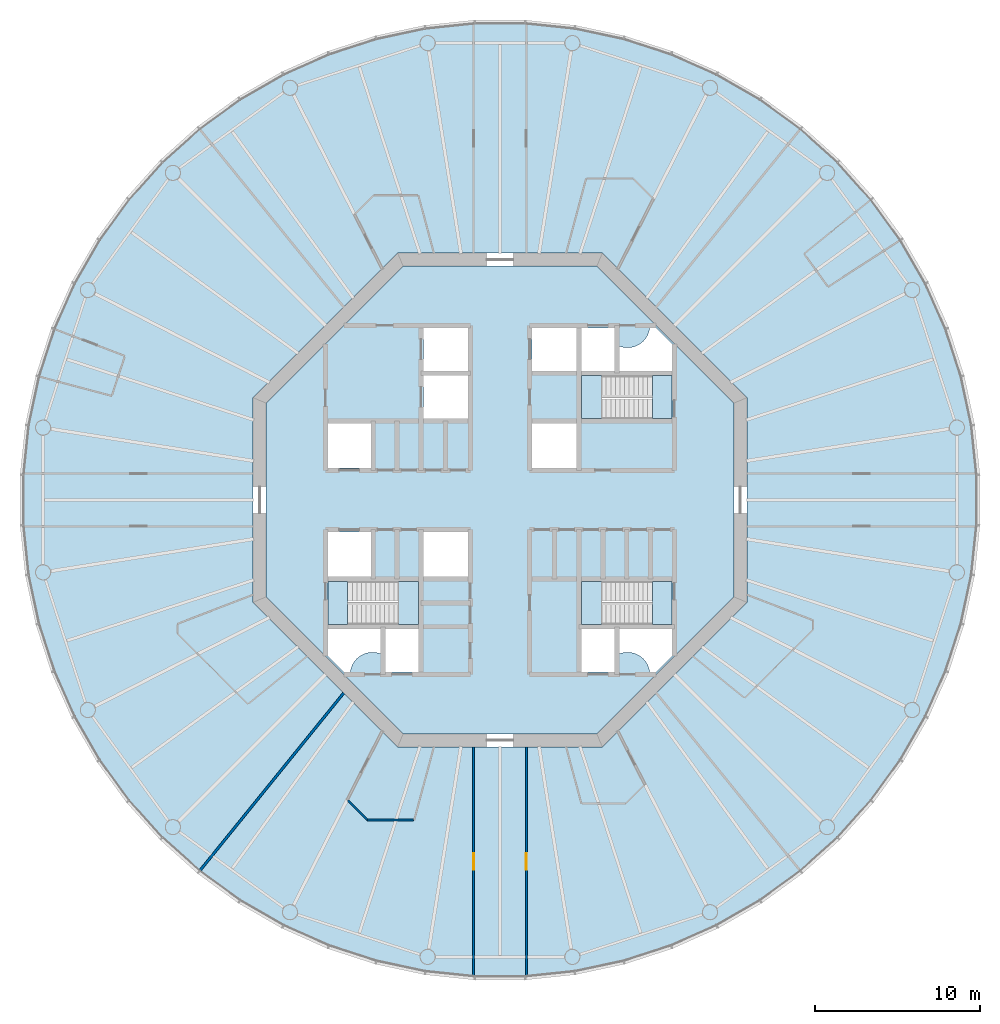
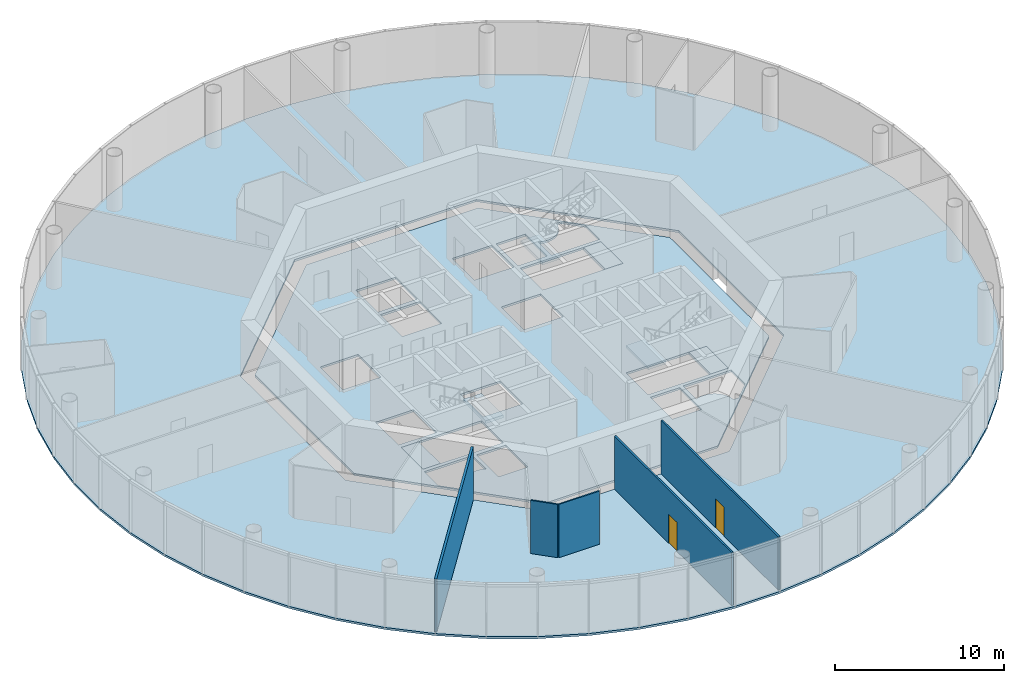
# One storey, part 2 of 13: 8 slabs, 5 walls, 2 doors, 2 openings, 3 elements without a shape of their own.
"""IFC4 building model written with IfcOpenShell, lengths in metres."""

import ifcopenshell
import ifcopenshell.guid

model = None  # the IFC model being written
_history = None  # IfcOwnerHistory: only IFC2X3 demands one
_inside = {}  # id of a spatial element -> (the spatial element, [elements in it])
_under = {}  # id of a project, library or spatial element -> (it, [spatial elements below it])
_declared = {}  # id of a project -> (the project, [libraries it declares])
_typed = {}  # id of a type object -> (the type object, [elements of that type])
_made_of = {}  # id of a material, layer set ... -> (it, [elements and type objects made of it])


def new_model(schema):
    """Start an empty IFC model of exactly this schema.

    Asked for "IFC4X3", IfcOpenShell would pick the latest addendum, in which some entities
    have other attributes; the version numbers below select the first issue.
    IFC2X3 requires an IfcOwnerHistory on every rooted entity: one is made here for all.
    """
    global model, _history
    if schema == "IFC4X3":
        model = ifcopenshell.file(schema_version=(4, 3, 0, 0))
    else:
        model = ifcopenshell.file(schema=schema)
    _inside.clear()
    _under.clear()
    _declared.clear()
    _typed.clear()
    _made_of.clear()
    _history = None
    if model.schema == "IFC2X3":
        org = make("IfcOrganization", Name="unknown")
        user = make(
            "IfcPersonAndOrganization",
            ThePerson=make("IfcPerson", FamilyName="unknown"),
            TheOrganization=org,
        )
        app = make(
            "IfcApplication",
            ApplicationDeveloper=org,
            Version="unknown",
            ApplicationFullName="unknown",
            ApplicationIdentifier="unknown",
        )
        _history = make(
            "IfcOwnerHistory",
            OwningUser=user,
            OwningApplication=app,
            ChangeAction="ADDED",
            CreationDate=0,
        )
    return model


def make(cls, **values):
    """One entity of the class cls with the attributes given. An attribute that is None is left unset."""
    return model.create_entity(
        cls, **{name: value for name, value in values.items() if value is not None}
    )


def rooted(cls, **values):
    """An entity with a GlobalId (a new one), such as an element, a storey or a relation."""
    return make(cls, GlobalId=ifcopenshell.guid.new(), OwnerHistory=_history, **values)


def si_unit(unit_type, name, prefix=None):
    """IfcSIUnit, for example si_unit("LENGTHUNIT", "METRE", prefix="MILLI")."""
    return make("IfcSIUnit", UnitType=unit_type, Prefix=prefix, Name=name)


def assignment(units):
    """IfcUnitAssignment: the units of a project."""
    return None if units is None else make("IfcUnitAssignment", Units=units)


def point(xyz):
    """IfcCartesianPoint."""
    return None if xyz is None else make("IfcCartesianPoint", Coordinates=xyz)


def direction(xyz):
    """IfcDirection."""
    return None if xyz is None else make("IfcDirection", DirectionRatios=xyz)


def frame(location, z_axis=None, x_axis=None):
    """IfcAxis2Placement3D, a coordinate frame: its origin and axes. An axis left out is left unset."""
    return make(
        "IfcAxis2Placement3D",
        Location=point(location),
        Axis=direction(z_axis),
        RefDirection=direction(x_axis),
    )


def frame_2d(location, x_axis=None):
    """IfcAxis2Placement2D, a coordinate frame in the plane: its origin and x axis."""
    return make(
        "IfcAxis2Placement2D", Location=point(location), RefDirection=direction(x_axis)
    )


def origin():
    """The frame at (0, 0, 0) with its axes left unset."""
    return frame((0.0, 0.0, 0.0))


def place(relative_to, where):
    """IfcLocalPlacement: puts the frame where relative to a parent placement (None: the world)."""
    return make(
        "IfcLocalPlacement", PlacementRelTo=relative_to, RelativePlacement=where
    )


def context(
    kind, dimensions, precision=None, world=None, true_north=None, identifier=None
):
    """IfcGeometricRepresentationContext, for example the 3D "Model" context."""
    return make(
        "IfcGeometricRepresentationContext",
        ContextIdentifier=identifier,
        ContextType=kind,
        CoordinateSpaceDimension=dimensions,
        Precision=precision,
        WorldCoordinateSystem=world,
        TrueNorth=true_north,
    )


def subcontext(parent, identifier, kind, view, scale=None):
    """IfcGeometricRepresentationSubContext, for example "Body" below "Model"."""
    return make(
        "IfcGeometricRepresentationSubContext",
        ContextIdentifier=identifier,
        ContextType=kind,
        ParentContext=parent,
        TargetScale=scale,
        TargetView=view,
    )


def project(units=None, contexts=None):
    """IfcProject with its units and contexts."""
    return rooted(
        "IfcProject",
        Name="project",
        RepresentationContexts=contexts,
        UnitsInContext=assignment(units),
    )


def spatial(cls, under=None, at=None, **own):
    """A site, building, storey or space (cls), placed at a placement, below another one or the project."""
    s = rooted(cls, ObjectPlacement=at, **own)
    if under is not None:
        _under.setdefault(under.id(), (under, []))[1].append(s)
    return s


def polyline(points):
    """IfcPolyline through the points."""
    return make("IfcPolyline", Points=[point(p) for p in points])


def profile(cls, at=None, kind="AREA", **sizes):
    """A parametric profile (cls). Its sizes go by their IFC names, for example OverallWidth=200.0."""
    return make(cls, ProfileType=kind, Position=at, **sizes)


def rectangle(**sizes):
    """IfcRectangleProfileDef."""
    return profile("IfcRectangleProfileDef", **sizes)


def outline(outer, holes=None, kind="AREA"):
    """IfcArbitraryClosedProfileDef: a profile drawn as a closed curve; with holes, ...WithVoids."""
    if holes is None:
        return make("IfcArbitraryClosedProfileDef", ProfileType=kind, OuterCurve=outer)
    return make(
        "IfcArbitraryProfileDefWithVoids",
        ProfileType=kind,
        OuterCurve=outer,
        InnerCurves=holes,
    )


def extrude(swept, where, along, depth):
    """IfcExtrudedAreaSolid: the profile swept, set in the frame where, extruded along a direction by depth."""
    return make(
        "IfcExtrudedAreaSolid",
        SweptArea=swept,
        Position=where,
        ExtrudedDirection=direction(along),
        Depth=depth,
    )


def shape(context_of_items, identifier, shape_type, items):
    """IfcShapeRepresentation: the items that make up one representation, for example the "Body"."""
    return make(
        "IfcShapeRepresentation",
        ContextOfItems=context_of_items,
        RepresentationIdentifier=identifier,
        RepresentationType=shape_type,
        Items=items,
    )


def material(Name=None, Category=None):
    """IfcMaterial."""
    return make("IfcMaterial", Name=Name, Category=Category)


def layer(
    of_material, thickness, ventilated=None, Name=None, Category=None, Priority=None
):
    """IfcMaterialLayer: one layer of a wall or slab, of a material (None: an air gap)."""
    return make(
        "IfcMaterialLayer",
        Material=of_material,
        LayerThickness=thickness,
        IsVentilated=ventilated,
        Name=Name,
        Category=Category,
        Priority=Priority,
    )


def layer_set(layers, Name=None):
    """IfcMaterialLayerSet."""
    return make("IfcMaterialLayerSet", MaterialLayers=layers, LayerSetName=Name)


def made_of(thing, what):
    """Note that an element or type object is made of a material, layer set ...; save() writes the relation."""
    if what is not None:
        _made_of.setdefault(what.id(), (what, []))[1].append(thing)
    return thing


def type_object(cls, material=None, **own):
    """A type object (cls), such as IfcWallType, which elements share."""
    return made_of(rooted(cls, **own), material)


def element(
    cls,
    number,
    at=None,
    inside=None,
    cuts=None,
    type_object=None,
    material=None,
    context=None,
    identifier="Body",
    shape_type=None,
    held_by="IfcProductDefinitionShape",
    body=None,
    shapes=None,
    **own,
):
    """One element of the class cls, such as IfcWall. Its Tag is "e" and its number.

    at: its placement. inside: the storey or other place that contains it. cuts: it is an
    opening in that element (IfcRelVoidsElement). A single representation is given by context,
    identifier, shape_type and body (its items); several are given by shapes. held_by: the class
    of the entity that holds the representations. save() writes the other relations.
    """
    e = rooted(cls, Tag="e%d" % number, ObjectPlacement=at, **own)
    if body is not None:
        shapes = [shape(context, identifier, shape_type, body)]
    if shapes is not None:
        e.Representation = make(held_by, Representations=shapes)
    if inside is not None:
        _inside.setdefault(inside.id(), (inside, []))[1].append(e)
    if cuts is not None:
        rooted(
            "IfcRelVoidsElement", RelatingBuildingElement=cuts, RelatedOpeningElement=e
        )
    if type_object is not None:
        _typed.setdefault(type_object.id(), (type_object, []))[1].append(e)
    return made_of(e, material)


def fill(opening, filler):
    """IfcRelFillsElement: the door or window that sits in an opening."""
    return rooted(
        "IfcRelFillsElement",
        RelatingOpeningElement=opening,
        RelatedBuildingElement=filler,
    )


def aggregate(whole, parts):
    """IfcRelAggregates: a whole, such as a stair, and the parts it consists of."""
    return rooted("IfcRelAggregates", RelatingObject=whole, RelatedObjects=parts)


def save(model, path):
    """Write the relations noted so far, then the file.

    IfcRelAggregates (storeys below a building ...), IfcRelContainedInSpatialStructure (elements
    in a storey), IfcRelDefinesByType, IfcRelAssociatesMaterial and IfcRelDeclares: one each for
    every whole, place, type object, material and project.
    """
    for whole, parts in _under.values():
        aggregate(whole, parts)
    for where, things in _inside.values():
        rooted(
            "IfcRelContainedInSpatialStructure",
            RelatedElements=things,
            RelatingStructure=where,
        )
    for kind, things in _typed.values():
        rooted("IfcRelDefinesByType", RelatedObjects=things, RelatingType=kind)
    for what, things in _made_of.values():
        rooted("IfcRelAssociatesMaterial", RelatedObjects=things, RelatingMaterial=what)
    for by, libraries in _declared.values():
        rooted("IfcRelDeclares", RelatingContext=by, RelatedDefinitions=libraries)
    model.write(path)


model = new_model("IFC4")

# Units and contexts
model_context = context("Model", 3, precision=1e-05, world=origin(), true_north=direction((0.0, 1.0)))
body_context = subcontext(model_context, "Body", "Model", "MODEL_VIEW")
ifc_project = project(units=[si_unit("LENGTHUNIT", "METRE"), si_unit("AREAUNIT", "SQUARE_METRE"), si_unit("VOLUMEUNIT", "CUBIC_METRE"), si_unit("PLANEANGLEUNIT", "RADIAN"), si_unit("MASSUNIT", "GRAM", prefix="KILO")], contexts=[model_context])

# Site, building, storey
site_placement = place(None, origin())
site = spatial("IfcSite", under=ifc_project, at=site_placement, CompositionType="ELEMENT")
building_placement = place(site_placement, origin())
building = spatial("IfcBuilding", under=site, at=building_placement, Name="Entoto Ring Tower", CompositionType="ELEMENT")
storey_placement = place(building_placement, frame((0.0, 0.0, 286.0)))
storey = spatial("IfcBuildingStorey", under=building, at=storey_placement, Name="L65", CompositionType="ELEMENT", Elevation=286.0)

# Slabs
ifc_material_1 = material(Name="Concrete C30/37", Category="concrete")
ifc_layer_1 = layer(ifc_material_1, 0.14990234375)
ifc_layer_set_1 = layer_set([ifc_layer_1], Name="Concrete C30/37")
slab_type_1 = type_object("IfcSlabType", Name="Composite floor slab 150 mm", PredefinedType="FLOOR", material=ifc_layer_set_1)
slab_1_placement = place(storey_placement, frame((0.0, 0.0, -0.14990234375)))
element("IfcSlab", 1, at=slab_1_placement, inside=storey, type_object=slab_type_1, Name="Floor slab L65", PredefinedType="FLOOR", context=body_context, shape_type="SweptSolid", body=[
    extrude(outline(polyline([(118.74169921875, 84.55224609375), (118.1083984375, 87.53173828125), (117.167236328125, 90.428466796875), (115.92822265625, 93.211181640625), (114.4052734375, 95.848876953125), (112.614990234375, 98.313232421875), (110.576904296875, 100.576904296875), (108.313232421875, 102.614990234375), (105.848876953125, 104.4052734375), (103.211181640625, 105.92822265625), (100.428466796875, 107.167236328125), (97.53173828125, 108.1083984375), (94.55224609375, 108.74169921875), (91.52294921875, 109.06005859375), (88.47705078125, 109.06005859375), (85.44775390625, 108.74169921875), (82.46826171875, 108.1083984375), (79.571533203125, 107.167236328125), (76.788818359375, 105.92822265625), (74.151123046875, 104.4052734375), (71.686767578125, 102.614990234375), (69.423095703125, 100.576904296875), (67.385009765625, 98.313232421875), (65.5947265625, 95.848876953125), (64.07177734375, 93.211181640625), (62.832763671875, 90.428466796875), (61.8916015625, 87.53173828125), (61.25830078125, 84.55224609375), (60.93994140625, 81.52294921875), (60.93994140625, 78.47705078125), (61.25830078125, 75.44775390625), (61.8916015625, 72.46826171875), (62.832763671875, 69.571533203125), (64.07177734375, 66.788818359375), (65.5947265625, 64.151123046875), (67.385009765625, 61.686767578125), (69.423095703125, 59.423095703125), (71.686767578125, 57.385009765625), (74.151123046875, 55.5947265625), (76.788818359375, 54.07177734375), (79.571533203125, 52.832763671875), (82.46826171875, 51.8916015625), (85.44775390625, 51.25830078125), (88.47705078125, 50.93994140625), (91.52294921875, 50.93994140625), (94.55224609375, 51.25830078125), (97.53173828125, 51.8916015625), (100.428466796875, 52.832763671875), (103.211181640625, 54.07177734375), (105.848876953125, 55.5947265625), (108.313232421875, 57.385009765625), (110.576904296875, 59.423095703125), (112.614990234375, 61.686767578125), (114.4052734375, 64.151123046875), (115.92822265625, 66.788818359375), (117.167236328125, 69.571533203125), (118.1083984375, 72.46826171875), (118.74169921875, 75.44775390625), (119.06005859375, 78.47705078125), (119.06005859375, 81.52294921875), (118.74169921875, 84.55224609375)]), holes=[polyline([(105.0, 73.786865234375), (105.0, 86.213134765625), (96.213134765625, 95.0), (83.786865234375, 95.0), (75.0, 86.213134765625), (75.0, 73.786865234375), (83.786865234375, 65.0), (96.213134765625, 65.0), (105.0, 73.786865234375)])]), origin(), (0.0, 0.0, 1.0), 0.14990234375),
])
ifc_material_2 = material(Name="Concrete C40/50", Category="concrete")
ifc_layer_2 = layer(ifc_material_2, 0.14990234375)
ifc_layer_set_2 = layer_set([ifc_layer_2], Name="Concrete C40/50")
slab_type_2 = type_object("IfcSlabType", Name="Core floor slab 150 mm reinforced concrete C40/50", PredefinedType="FLOOR", material=ifc_layer_set_2)
slab_2_placement = place(storey_placement, frame((0.0, 0.0, -0.14990234375)))
element("IfcSlab", 2, at=slab_2_placement, inside=storey, type_object=slab_type_2, Name="Core floor L65", PredefinedType="FLOOR", context=body_context, shape_type="SweptSolid", body=[
    extrude(outline(polyline([(104.199951171875, 74.1181640625), (104.199951171875, 85.8818359375), (95.8818359375, 94.199951171875), (84.1181640625, 94.199951171875), (75.800048828125, 85.8818359375), (75.800048828125, 74.1181640625), (84.1181640625, 65.800048828125), (95.8818359375, 65.800048828125), (104.199951171875, 74.1181640625)]), holes=[polyline([(100.449951171875, 84.949951171875), (100.449951171875, 87.550048828125), (94.949951171875, 87.550048828125), (94.949951171875, 84.949951171875), (100.449951171875, 84.949951171875)]), polyline([(85.050048828125, 72.449951171875), (85.050048828125, 75.050048828125), (79.550048828125, 75.050048828125), (79.550048828125, 72.449951171875), (85.050048828125, 72.449951171875)]), polyline([(100.449951171875, 72.449951171875), (100.449951171875, 75.050048828125), (94.949951171875, 75.050048828125), (94.949951171875, 72.449951171875), (100.449951171875, 72.449951171875)]), polyline([(94.949951171875, 90.449951171875), (94.949951171875, 87.85009765625), (96.949951171875, 87.85009765625), (96.949951171875, 90.449951171875), (94.949951171875, 90.449951171875)]), polyline([(94.949951171875, 72.14990234375), (94.949951171875, 69.550048828125), (96.949951171875, 69.550048828125), (96.949951171875, 72.14990234375), (94.949951171875, 72.14990234375)]), polyline([(83.050048828125, 72.14990234375), (83.050048828125, 69.550048828125), (85.050048828125, 69.550048828125), (85.050048828125, 72.14990234375), (83.050048828125, 72.14990234375)]), polyline([(79.550048828125, 81.949951171875), (82.14990234375, 81.949951171875), (82.14990234375, 84.64990234375), (79.550048828125, 84.64990234375), (79.550048828125, 81.949951171875)]), polyline([(79.550048828125, 75.35009765625), (82.14990234375, 75.35009765625), (82.14990234375, 78.050048828125), (79.550048828125, 78.050048828125), (79.550048828125, 75.35009765625)]), polyline([(91.949951171875, 87.85009765625), (94.64990234375, 87.85009765625), (94.64990234375, 90.449951171875), (91.949951171875, 90.449951171875), (91.949951171875, 87.85009765625)]), polyline([(91.949951171875, 81.949951171875), (94.64990234375, 81.949951171875), (94.64990234375, 84.64990234375), (91.949951171875, 84.64990234375), (91.949951171875, 81.949951171875)]), polyline([(85.35009765625, 75.35009765625), (88.050048828125, 75.35009765625), (88.050048828125, 78.050048828125), (85.35009765625, 78.050048828125), (85.35009765625, 75.35009765625)]), polyline([(85.35009765625, 84.949951171875), (88.050048828125, 84.949951171875), (88.050048828125, 87.550048828125), (85.35009765625, 87.550048828125), (85.35009765625, 84.949951171875)]), polyline([(85.35009765625, 87.85009765625), (88.050048828125, 87.85009765625), (88.050048828125, 90.449951171875), (85.35009765625, 90.449951171875), (85.35009765625, 87.85009765625)]), polyline([(97.199951171875, 89.368408203125), (97.199951171875, 87.800048828125), (100.5, 87.800048828125), (100.5, 89.4404296875), (99.4404296875, 90.5), (99.09521484375, 90.5), (99.093505859375, 90.4677734375), (99.07421875, 90.336669921875), (99.0419921875, 90.2080078125), (98.997314453125, 90.08349609375), (98.940673828125, 89.963623046875), (98.87255859375, 89.85009765625), (98.793701171875, 89.74365234375), (98.70458984375, 89.6455078125), (98.6064453125, 89.556396484375), (98.5, 89.4775390625), (98.386474609375, 89.409423828125), (98.2666015625, 89.352783203125), (98.141845703125, 89.30810546875), (98.013427734375, 89.27587890625), (97.88232421875, 89.256591796875), (97.75, 89.25), (97.61767578125, 89.256591796875), (97.486572265625, 89.27587890625), (97.358154296875, 89.30810546875), (97.2333984375, 89.352783203125), (97.199951171875, 89.368408203125)]), polyline([(80.5595703125, 69.5), (80.90478515625, 69.5), (80.906494140625, 69.5322265625), (80.92578125, 69.663330078125), (80.9580078125, 69.7919921875), (81.002685546875, 69.91650390625), (81.059326171875, 70.036376953125), (81.12744140625, 70.14990234375), (81.206298828125, 70.25634765625), (81.29541015625, 70.3544921875), (81.3935546875, 70.443603515625), (81.5, 70.5224609375), (81.613525390625, 70.590576171875), (81.7333984375, 70.647216796875), (81.858154296875, 70.69189453125), (81.986572265625, 70.72412109375), (82.11767578125, 70.743408203125), (82.25, 70.75), (82.38232421875, 70.743408203125), (82.513427734375, 70.72412109375), (82.641845703125, 70.69189453125), (82.7666015625, 70.647216796875), (82.800048828125, 70.631591796875), (82.800048828125, 72.199951171875), (79.5, 72.199951171875), (79.5, 70.5595703125), (80.5595703125, 69.5)]), polyline([(99.09521484375, 69.5), (99.4404296875, 69.5), (100.5, 70.5595703125), (100.5, 72.199951171875), (97.199951171875, 72.199951171875), (97.199951171875, 70.631591796875), (97.2333984375, 70.647216796875), (97.358154296875, 70.69189453125), (97.486572265625, 70.72412109375), (97.61767578125, 70.743408203125), (97.75, 70.75), (97.88232421875, 70.743408203125), (98.013427734375, 70.72412109375), (98.141845703125, 70.69189453125), (98.2666015625, 70.647216796875), (98.386474609375, 70.590576171875), (98.5, 70.5224609375), (98.6064453125, 70.443603515625), (98.70458984375, 70.3544921875), (98.793701171875, 70.25634765625), (98.87255859375, 70.14990234375), (98.940673828125, 70.036376953125), (98.997314453125, 69.91650390625), (99.0419921875, 69.7919921875), (99.07421875, 69.663330078125), (99.093505859375, 69.5322265625), (99.09521484375, 69.5)])]), origin(), (0.0, 0.0, 1.0), 0.14990234375),
])

# Stair, slabs
ifc_material_3 = material(Name="Concrete C40/50", Category="concrete")
stair_type = type_object("IfcStairType", Name="Exit stair 1200 mm dog-leg reinforced concrete", PredefinedType="HALF_TURN_STAIR", material=ifc_material_3)
stair_1_placement = place(storey_placement, origin())
stair_1 = element("IfcStair", 3, at=stair_1_placement, inside=storey, type_object=stair_type, Name="Exit stair 1", PredefinedType="HALF_TURN_STAIR")
ifc_material_4 = material(Name="Concrete C40/50", Category="concrete")
ifc_layer_3 = layer(ifc_material_4, 0.199951171875)
ifc_layer_set_3 = layer_set([ifc_layer_3], Name="Concrete C40/50")
slab_type_3 = type_object("IfcSlabType", Name="Stair landing 200 mm reinforced concrete", PredefinedType="LANDING", material=ifc_layer_set_3)
slab_3_placement = place(storey_placement, frame((0.0, 0.0, -0.199951171875)))
slab_3 = element("IfcSlab", 4, at=slab_3_placement, type_object=slab_type_3, Name="ST1 landing 1", PredefinedType="LANDING", context=body_context, shape_type="SweptSolid", body=[
    extrude(outline(polyline([(100.449951171875, 84.949951171875), (100.449951171875, 87.550048828125), (99.25, 87.550048828125), (99.25, 84.949951171875), (100.449951171875, 84.949951171875)])), origin(), (0.0, 0.0, 1.0), 0.199951171875),
])
slab_4_placement = place(storey_placement, frame((0.0, 0.0, 1.800048828125)))
slab_4 = element("IfcSlab", 5, at=slab_4_placement, type_object=slab_type_3, Name="ST1 landing 2", PredefinedType="LANDING", context=body_context, shape_type="SweptSolid", body=[
    extrude(outline(polyline([(94.949951171875, 84.949951171875), (96.169921875, 84.949951171875), (96.169921875, 87.550048828125), (94.949951171875, 87.550048828125), (94.949951171875, 84.949951171875)])), origin(), (0.0, 0.0, 1.0), 0.199951171875),
])
aggregate(stair_1, [slab_3, slab_4])

stair_2_placement = place(storey_placement, origin())
stair_2 = element("IfcStair", 6, at=stair_2_placement, inside=storey, type_object=stair_type, Name="Exit stair 2", PredefinedType="HALF_TURN_STAIR")
slab_5_placement = place(storey_placement, frame((0.0, 0.0, -0.199951171875)))
slab_5 = element("IfcSlab", 7, at=slab_5_placement, type_object=slab_type_3, Name="ST2 landing 1", PredefinedType="LANDING", context=body_context, shape_type="SweptSolid", body=[
    extrude(outline(polyline([(80.75, 72.449951171875), (80.75, 75.050048828125), (79.550048828125, 75.050048828125), (79.550048828125, 72.449951171875), (80.75, 72.449951171875)])), origin(), (0.0, 0.0, 1.0), 0.199951171875),
])
slab_6_placement = place(storey_placement, frame((0.0, 0.0, 1.800048828125)))
slab_6 = element("IfcSlab", 8, at=slab_6_placement, type_object=slab_type_3, Name="ST2 landing 2", PredefinedType="LANDING", context=body_context, shape_type="SweptSolid", body=[
    extrude(outline(polyline([(83.830078125, 72.449951171875), (85.050048828125, 72.449951171875), (85.050048828125, 75.050048828125), (83.830078125, 75.050048828125), (83.830078125, 72.449951171875)])), origin(), (0.0, 0.0, 1.0), 0.199951171875),
])
aggregate(stair_2, [slab_5, slab_6])

stair_3_placement = place(storey_placement, origin())
stair_3 = element("IfcStair", 9, at=stair_3_placement, inside=storey, type_object=stair_type, Name="Exit stair 3", PredefinedType="HALF_TURN_STAIR")
slab_7_placement = place(storey_placement, frame((0.0, 0.0, -0.199951171875)))
slab_7 = element("IfcSlab", 10, at=slab_7_placement, type_object=slab_type_3, Name="ST3 landing 1", PredefinedType="LANDING", context=body_context, shape_type="SweptSolid", body=[
    extrude(outline(polyline([(100.449951171875, 72.449951171875), (100.449951171875, 75.050048828125), (99.25, 75.050048828125), (99.25, 72.449951171875), (100.449951171875, 72.449951171875)])), origin(), (0.0, 0.0, 1.0), 0.199951171875),
])
slab_8_placement = place(storey_placement, frame((0.0, 0.0, 1.800048828125)))
slab_8 = element("IfcSlab", 11, at=slab_8_placement, type_object=slab_type_3, Name="ST3 landing 2", PredefinedType="LANDING", context=body_context, shape_type="SweptSolid", body=[
    extrude(outline(polyline([(94.949951171875, 72.449951171875), (96.169921875, 72.449951171875), (96.169921875, 75.050048828125), (94.949951171875, 75.050048828125), (94.949951171875, 72.449951171875)])), origin(), (0.0, 0.0, 1.0), 0.199951171875),
])
aggregate(stair_3, [slab_7, slab_8])

# Wall, opening, door
ifc_material_5 = material(Name="Fire-resisting plasterboard on steel studs", Category="steel")
ifc_layer_4 = layer(ifc_material_5, 0.125)
ifc_layer_set_4 = layer_set([ifc_layer_4], Name="Fire-resisting plasterboard on steel studs")
wall_type_1 = type_object("IfcWallType", Name="Corridor wall 125 mm one-hour plasterboard on steel studs", PredefinedType="PARTITIONING", material=ifc_layer_set_4)
wall_1_placement = place(storey_placement, frame((88.39990234375, 51.108642578125, 0.0), z_axis=(0.0, 0.0, 1.0), x_axis=(0.0, 1.0, 0.0)))
wall_1 = element("IfcWall", 12, at=wall_1_placement, inside=storey, type_object=wall_type_1, Name="partition-L65-003", PredefinedType="PARTITIONING", context=body_context, shape_type="SweptSolid", body=[
    extrude(rectangle(XDim=13.891357421875, YDim=0.125, at=frame_2d((6.94580078125, 0.0))), origin(), (0.0, 0.0, 1.0), 3.85009765625),
])
opening_1_placement = place(wall_1_placement, frame((6.44580078125, 0.0, 0.0)))
opening_1 = element("IfcOpeningElement", 13, at=opening_1_placement, cuts=wall_1, Name="Opening A29-D11", PredefinedType="OPENING", context=body_context, shape_type="SweptSolid", body=[
    extrude(rectangle(XDim=1.0, YDim=2.10009765625, at=frame_2d((0.5, 1.050048828125))), frame((0.0, 0.072509765625, 0.0), z_axis=(0.0, -1.0, 0.0), x_axis=(1.0, 0.0, 0.0)), (0.0, 0.0, 1.0), 0.14501953125),
])
ifc_material_6 = material(Name="Fire-resisting timber door set", Category="wood")
door_type = type_object("IfcDoorType", Name="Door 1000 x 2100 single leaf FD30S fire door", OperationType="NOTDEFINED", PredefinedType="DOOR", material=ifc_material_6)
door_1_placement = place(opening_1_placement, origin())
door_1 = element("IfcDoor", 14, at=door_1_placement, inside=storey, type_object=door_type, Name="Door A29-D11", OperationType="SINGLE_SWING_LEFT", OverallHeight=2.10009765625, OverallWidth=1.0, PredefinedType="DOOR", context=body_context, shape_type="SweptSolid", body=[
    extrude(rectangle(XDim=1.0, YDim=2.10009765625, at=frame_2d((0.5, 1.050048828125))), frame((0.0, 0.02490234375, 0.0), z_axis=(0.0, -1.0, 0.0), x_axis=(1.0, 0.0, 0.0)), (0.0, 0.0, 1.0), 0.050048828125),
])
fill(opening_1, door_1)

wall_2_placement = place(storey_placement, frame((91.60009765625, 51.108642578125, 0.0), z_axis=(0.0, 0.0, 1.0), x_axis=(0.0, 1.0, 0.0)))
wall_2 = element("IfcWall", 15, at=wall_2_placement, inside=storey, type_object=wall_type_1, Name="partition-L65-005", PredefinedType="PARTITIONING", context=body_context, shape_type="SweptSolid", body=[
    extrude(rectangle(XDim=13.891357421875, YDim=0.125, at=frame_2d((6.94580078125, 0.0))), origin(), (0.0, 0.0, 1.0), 3.85009765625),
])
opening_2_placement = place(wall_2_placement, frame((6.44580078125, 0.0, 0.0)))
opening_2 = element("IfcOpeningElement", 16, at=opening_2_placement, cuts=wall_2, Name="Opening A29-D13", PredefinedType="OPENING", context=body_context, shape_type="SweptSolid", body=[
    extrude(rectangle(XDim=1.0, YDim=2.10009765625, at=frame_2d((0.5, 1.050048828125))), frame((0.0, 0.072509765625, 0.0), z_axis=(0.0, -1.0, 0.0), x_axis=(1.0, 0.0, 0.0)), (0.0, 0.0, 1.0), 0.14501953125),
])
door_2_placement = place(opening_2_placement, frame((1.0, 0.0, 0.0), z_axis=(0.0, 0.0, 1.0), x_axis=(-1.0, 0.0, 0.0)))
door_2 = element("IfcDoor", 17, at=door_2_placement, inside=storey, type_object=door_type, Name="Door A29-D13", OperationType="SINGLE_SWING_RIGHT", OverallHeight=2.10009765625, OverallWidth=1.0, PredefinedType="DOOR", context=body_context, shape_type="SweptSolid", body=[
    extrude(rectangle(XDim=1.0, YDim=2.10009765625, at=frame_2d((0.5, 1.050048828125))), frame((0.0, 0.02490234375, 0.0), z_axis=(0.0, -1.0, 0.0), x_axis=(1.0, 0.0, 0.0)), (0.0, 0.0, 1.0), 0.050048828125),
])
fill(opening_2, door_2)

# Walls
ifc_material_7 = material(Name="Plasterboard on steel studs", Category="steel")
ifc_layer_5 = layer(ifc_material_7, 0.10009765625)
ifc_layer_set_5 = layer_set([ifc_layer_5], Name="Plasterboard on steel studs")
wall_type_2 = type_object("IfcWallType", Name="Partition 100 mm plasterboard on steel studs", PredefinedType="PARTITIONING", material=ifc_layer_set_5)
wall_3_placement = place(storey_placement, frame((81.94775390625, 60.56005859375, 0.0), z_axis=(0.0, 0.0, 1.0), x_axis=(1.0, 0.0, 0.0)))
element("IfcWall", 18, at=wall_3_placement, inside=storey, type_object=wall_type_2, Name="partition-L65-032", PredefinedType="PARTITIONING", context=body_context, shape_type="SweptSolid", body=[
    extrude(rectangle(XDim=2.795166015625, YDim=0.10009765625, at=frame_2d((1.3974609375, 0.0))), origin(), (0.0, 0.0, 1.0), 3.85009765625),
])
wall_4_placement = place(storey_placement, frame((81.9228515625, 60.584716796875, 0.0), z_axis=(0.0, 0.0, 1.0), x_axis=(-0.707032943482, 0.707180611181, 0.0)))
element("IfcWall", 19, at=wall_4_placement, inside=storey, type_object=wall_type_2, Name="partition-L65-038", PredefinedType="PARTITIONING", context=body_context, shape_type="SweptSolid", body=[
    extrude(rectangle(XDim=1.6533203125, YDim=0.10009765625, at=frame_2d((0.82666015625, 0.0))), origin(), (0.0, 0.0, 1.0), 3.85009765625),
])
ifc_material_8 = material(Name="Fire-resisting acoustic plasterboard on steel studs", Category="steel")
ifc_layer_6 = layer(ifc_material_8, 0.14990234375)
ifc_layer_set_6 = layer_set([ifc_layer_6], Name="Fire-resisting acoustic plasterboard on steel studs")
wall_type_3 = type_object("IfcWallType", Name="Party wall 150 mm one-hour acoustic plasterboard on steel studs", PredefinedType="PARTITIONING", material=ifc_layer_set_6)
wall_5_placement = place(storey_placement, frame((71.78759765625, 57.509521484375, 0.0), z_axis=(0.0, 0.0, 1.0), x_axis=(0.629324927109, 0.777142288207, 0.0)))
element("IfcWall", 20, at=wall_5_placement, inside=storey, type_object=wall_type_3, Name="partition-L65-009", PredefinedType="PARTITIONING", context=body_context, shape_type="SweptSolid", body=[
    extrude(rectangle(XDim=13.857177734375, YDim=0.14990234375, at=frame_2d((6.9287109375, 0.0))), origin(), (0.0, 0.0, 1.0), 3.85009765625),
])

save(model, "model.ifc")
